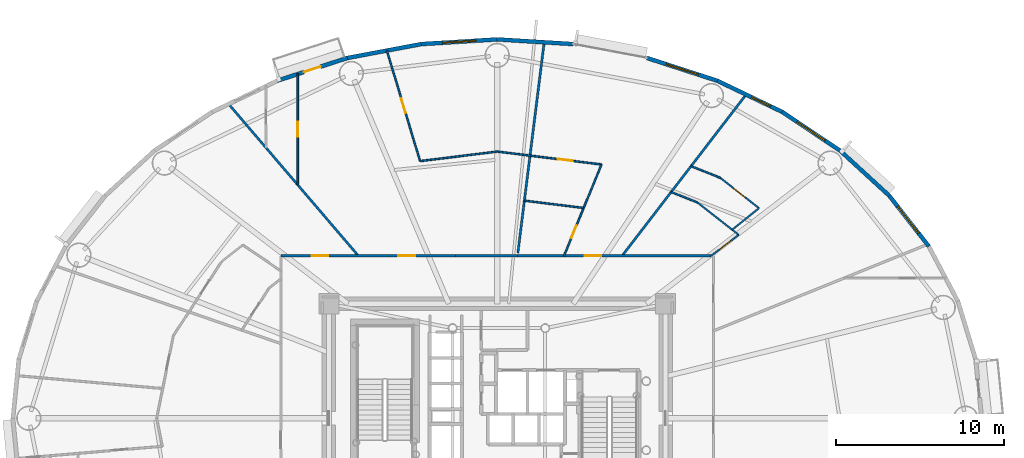
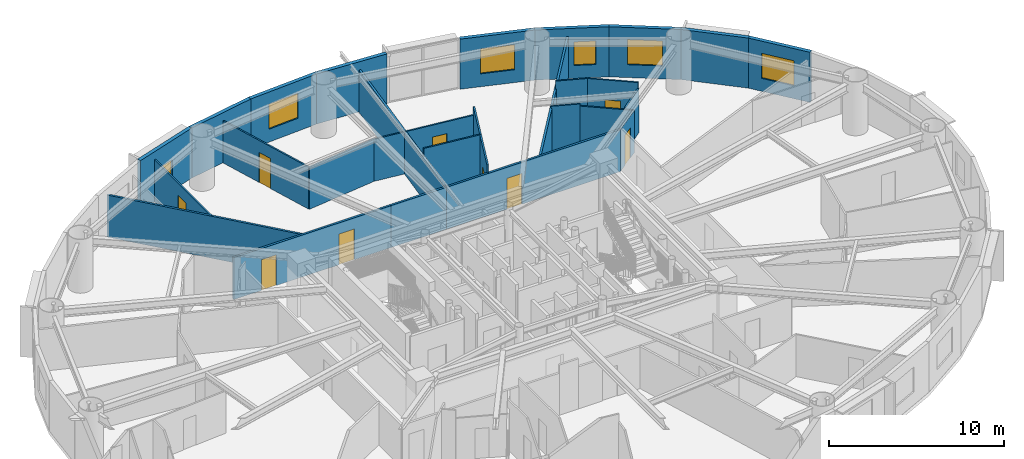
# One storey, part 11 of 18: 27 walls, 10 doors, 5 windows, 15 openings.
"""IFC4 building model written with IfcOpenShell, lengths in metres."""

from ifc_helpers import new_model, si_unit, direction, frame, frame_2d, origin, origin_2d, place, context, subcontext, project, spatial, rectangle, extrude, source, transform, mapped, material, layer, layer_set, type_object, element, fill, save


model = new_model("IFC4")

# Units and contexts
model_context = context("Model", 3, precision=1e-05, world=origin(), true_north=direction((0.0, 1.0)))
body_context = subcontext(model_context, "Body", "Model", "MODEL_VIEW")
ifc_project = project(units=[si_unit("LENGTHUNIT", "METRE"), si_unit("AREAUNIT", "SQUARE_METRE"), si_unit("VOLUMEUNIT", "CUBIC_METRE"), si_unit("PLANEANGLEUNIT", "RADIAN"), si_unit("MASSUNIT", "GRAM", prefix="KILO")], contexts=[model_context])

# Site, building, storey
site_placement = place(None, origin())
site = spatial("IfcSite", under=ifc_project, at=site_placement, CompositionType="ELEMENT")
building_placement = place(site_placement, origin())
building = spatial("IfcBuilding", under=site, at=building_placement, Name="Linh Dai School and Residence Tower", CompositionType="ELEMENT")
storey_placement = place(building_placement, frame((0.0, 0.0, 104.699951171875)))
storey = spatial("IfcBuildingStorey", under=building, at=storey_placement, Name="L24", CompositionType="ELEMENT", Elevation=104.699951171875)

# Wall, opening, window
ifc_material_1 = material(Name="Precast Concrete B45 (C35/45)", Category="concrete")
ifc_layer_1 = layer(ifc_material_1, 0.239990234375)
ifc_layer_set_1 = layer_set([ifc_layer_1], Name="Precast Concrete B45 (C35/45)")
wall_type_1 = type_object("IfcWallType", Name="EW-TC-240", PredefinedType="SOLIDWALL", material=ifc_layer_set_1)
wall_1_placement = place(storey_placement, frame((59.2890625, 40.216552734375, 0.0), z_axis=(0.0, 0.0, 1.0), x_axis=(0.616272103517, -0.787533297345, 0.0)))
wall_1 = element("IfcWall", 1, at=wall_1_placement, inside=storey, type_object=wall_type_1, Name="L24 Terracotta Exterior Wall 04", PredefinedType="SOLIDWALL", context=body_context, shape_type="SweptSolid", body=[
    extrude(rectangle(XDim=3.8232421875, YDim=0.239990234375, at=frame_2d((1.91162109375, 0.0))), origin(), (0.0, 0.0, 1.0), 3.5),
])
opening_1_placement = place(wall_1_placement, frame((0.823974609375, 0.0, 0.89990234375)))
opening_1 = element("IfcOpeningElement", 2, at=opening_1_placement, cuts=wall_1, Name="Opening W1", PredefinedType="OPENING", context=body_context, shape_type="SweptSolid", body=[
    extrude(rectangle(XDim=2.0, YDim=1.75, at=origin_2d()), frame((1.0, 0.1298828125, 0.875), z_axis=(0.0, -1.0, 0.0), x_axis=(1.0, 0.0, 0.0)), (0.0, 0.0, 1.0), 0.260009765625),
])
ifc_material_2 = material(Name="Double Low-E Insulated Glazing", Category="glass")
window_type_1 = type_object("IfcWindowType", Name="WN-RES-2000x1750", PartitioningType="DOUBLE_PANEL_VERTICAL", PredefinedType="WINDOW", material=ifc_material_2)
shared_shape_1 = source(origin(), body_context, "Body", "SweptSolid", [
    extrude(rectangle(XDim=2.0, YDim=1.75, at=origin_2d()), frame((1.0, 0.030029296875, 0.875), z_axis=(0.0, -1.0, 0.0), x_axis=(1.0, 0.0, 0.0)), (0.0, 0.0, 1.0), 0.06005859375),
])
window_1_placement = place(opening_1_placement, origin())
window_1 = element("IfcWindow", 3, at=window_1_placement, inside=storey, type_object=window_type_1, Name="L24 Exterior Window 04.1", OverallHeight=1.75, OverallWidth=2.0, PartitioningType="DOUBLE_PANEL_VERTICAL", PredefinedType="WINDOW", context=body_context, shape_type="MappedRepresentation", body=[
    mapped(shared_shape_1, transform((0.0, 0.0, 0.0), x_axis=(1.0, 0.0, 0.0), y_axis=(0.0, 1.0, 0.0), z_axis=(0.0, 0.0, 1.0), scale=1.0)),
])
fill(opening_1, window_1)

# Wall
wall_2_placement = place(storey_placement, frame((56.3583984375, 42.9033203125, 0.0), z_axis=(0.0, 0.0, 1.0), x_axis=(0.737113356241, -0.675769117414, 0.0)))
element("IfcWall", 4, at=wall_2_placement, inside=storey, type_object=wall_type_1, Name="L24 Terracotta Exterior Wall 05", PredefinedType="SOLIDWALL", context=body_context, shape_type="SweptSolid", body=[
    extrude(rectangle(XDim=3.975830078125, YDim=0.239990234375, at=frame_2d((1.98779296875, 0.0))), origin(), (0.0, 0.0, 1.0), 3.5),
])

# Wall, opening, window
wall_3_placement = place(storey_placement, frame((52.92529296875, 45.199462890625, 0.0), z_axis=(0.0, 0.0, 1.0), x_axis=(0.831221811447, -0.555940914284, 0.0)))
wall_3 = element("IfcWall", 5, at=wall_3_placement, inside=storey, type_object=wall_type_1, Name="L24 Terracotta Exterior Wall 06", PredefinedType="SOLIDWALL", context=body_context, shape_type="SweptSolid", body=[
    extrude(rectangle(XDim=4.130126953125, YDim=0.239990234375, at=frame_2d((2.06494140625, 0.0))), origin(), (0.0, 0.0, 1.0), 3.5),
])
opening_2_placement = place(wall_3_placement, frame((1.06494140625, 0.0, 0.89990234375)))
opening_2 = element("IfcOpeningElement", 6, at=opening_2_placement, cuts=wall_3, Name="Opening W1", PredefinedType="OPENING", context=body_context, shape_type="SweptSolid", body=[
    extrude(rectangle(XDim=2.0, YDim=1.75, at=origin_2d()), frame((1.0, 0.1298828125, 0.875), z_axis=(0.0, -1.0, 0.0), x_axis=(1.0, 0.0, 0.0)), (0.0, 0.0, 1.0), 0.260009765625),
])
window_2_placement = place(opening_2_placement, origin())
window_2 = element("IfcWindow", 7, at=window_2_placement, inside=storey, type_object=window_type_1, Name="L24 Exterior Window 06.1", OverallHeight=1.75, OverallWidth=2.0, PartitioningType="DOUBLE_PANEL_VERTICAL", PredefinedType="WINDOW", context=body_context, shape_type="MappedRepresentation", body=[
    mapped(shared_shape_1, transform((0.0, 0.0, 0.0), x_axis=(1.0, 0.0, 0.0), y_axis=(0.0, 1.0, 0.0), z_axis=(0.0, 0.0, 1.0), scale=1.0)),
])
fill(opening_2, window_2)

wall_4_placement = place(storey_placement, frame((49.073974609375, 47.04736328125, 0.0), z_axis=(0.0, 0.0, 1.0), x_axis=(0.901589935876, -0.432591709962, 0.0)))
wall_4 = element("IfcWall", 8, at=wall_4_placement, inside=storey, type_object=wall_type_1, Name="L24 Terracotta Exterior Wall 07", PredefinedType="SOLIDWALL", context=body_context, shape_type="SweptSolid", body=[
    extrude(rectangle(XDim=4.271728515625, YDim=0.239990234375, at=frame_2d((2.1357421875, 0.0))), origin(), (0.0, 0.0, 1.0), 3.5),
])
opening_3_placement = place(wall_4_placement, frame((2.251953125, 0.0, 0.89990234375)))
opening_3 = element("IfcOpeningElement", 9, at=opening_3_placement, cuts=wall_4, Name="Opening W3", PredefinedType="OPENING", context=body_context, shape_type="SweptSolid", body=[
    extrude(rectangle(XDim=1.25, YDim=1.64990234375, at=origin_2d()), frame((0.625, 0.1298828125, 0.824951171875), z_axis=(0.0, -1.0, 0.0), x_axis=(1.0, 0.0, 0.0)), (0.0, 0.0, 1.0), 0.260009765625),
])
window_type_2 = type_object("IfcWindowType", Name="WN-RES-1250x1650", PartitioningType="SINGLE_PANEL", PredefinedType="WINDOW", material=ifc_material_2)
shared_shape_2 = source(origin(), body_context, "Body", "SweptSolid", [
    extrude(rectangle(XDim=1.25, YDim=1.64990234375, at=origin_2d()), frame((0.625, 0.030029296875, 0.824951171875), z_axis=(0.0, -1.0, 0.0), x_axis=(1.0, 0.0, 0.0)), (0.0, 0.0, 1.0), 0.06005859375),
])
window_3_placement = place(opening_3_placement, origin())
window_3 = element("IfcWindow", 10, at=window_3_placement, inside=storey, type_object=window_type_2, Name="L24 Exterior Window 07.1", OverallHeight=1.64990234375, OverallWidth=1.25, PartitioningType="SINGLE_PANEL", PredefinedType="WINDOW", context=body_context, shape_type="MappedRepresentation", body=[
    mapped(shared_shape_2, transform((0.0, 0.0, 0.0), x_axis=(1.0, 0.0, 0.0), y_axis=(0.0, 1.0, 0.0), z_axis=(0.0, 0.0, 1.0), scale=1.0)),
])
fill(opening_3, window_3)

wall_5_placement = place(storey_placement, frame((44.899658203125, 48.4013671875, 0.0), z_axis=(0.0, 0.0, 1.0), x_axis=(0.951211346073, -0.308540070495, 0.0)))
wall_5 = element("IfcWall", 11, at=wall_5_placement, inside=storey, type_object=wall_type_1, Name="L24 Terracotta Exterior Wall 08", PredefinedType="SOLIDWALL", context=body_context, shape_type="SweptSolid", body=[
    extrude(rectangle(XDim=4.388427734375, YDim=0.239990234375, at=frame_2d((2.1943359375, 0.0))), origin(), (0.0, 0.0, 1.0), 3.5),
])
opening_4_placement = place(wall_5_placement, frame((1.194091796875, 0.0, 0.89990234375)))
opening_4 = element("IfcOpeningElement", 12, at=opening_4_placement, cuts=wall_5, Name="Opening W1", PredefinedType="OPENING", context=body_context, shape_type="SweptSolid", body=[
    extrude(rectangle(XDim=2.0, YDim=1.75, at=origin_2d()), frame((1.0, 0.1298828125, 0.875), z_axis=(0.0, -1.0, 0.0), x_axis=(1.0, 0.0, 0.0)), (0.0, 0.0, 1.0), 0.260009765625),
])
window_4_placement = place(opening_4_placement, origin())
window_4 = element("IfcWindow", 13, at=window_4_placement, inside=storey, type_object=window_type_1, Name="L24 Exterior Window 08.1", OverallHeight=1.75, OverallWidth=2.0, PartitioningType="DOUBLE_PANEL_VERTICAL", PredefinedType="WINDOW", context=body_context, shape_type="MappedRepresentation", body=[
    mapped(shared_shape_1, transform((0.0, 0.0, 0.0), x_axis=(1.0, 0.0, 0.0), y_axis=(0.0, 1.0, 0.0), z_axis=(0.0, 0.0, 1.0), scale=1.0)),
])
fill(opening_4, window_4)

# Wall
wall_6_placement = place(storey_placement, frame((36.0, 49.5048828125, 0.0), z_axis=(0.0, 0.0, 1.0), x_axis=(0.998107531589, -0.061492726276, 0.0)))
element("IfcWall", 14, at=wall_6_placement, inside=storey, type_object=wall_type_1, Name="L24 Terracotta Exterior Wall 10", PredefinedType="SOLIDWALL", context=body_context, shape_type="SweptSolid", body=[
    extrude(rectangle(XDim=4.51416015625, YDim=0.239990234375, at=frame_2d((2.257080078125, 0.0))), origin(), (0.0, 0.0, 1.0), 3.5),
])

# Wall, opening, window
wall_7_placement = place(storey_placement, frame((31.494384765625, 49.227294921875, 0.0), z_axis=(0.0, 0.0, 1.0), x_axis=(0.998107531589, 0.061492726276, 0.0)))
wall_7 = element("IfcWall", 15, at=wall_7_placement, inside=storey, type_object=wall_type_1, Name="L24 Terracotta Exterior Wall 11", PredefinedType="SOLIDWALL", context=body_context, shape_type="SweptSolid", body=[
    extrude(rectangle(XDim=4.51416015625, YDim=0.239990234375, at=frame_2d((2.257080078125, 0.0))), origin(), (0.0, 0.0, 1.0), 3.5),
])
opening_5_placement = place(wall_7_placement, frame((1.257080078125, 0.0, 0.89990234375)))
opening_5 = element("IfcOpeningElement", 16, at=opening_5_placement, cuts=wall_7, Name="Opening W1", PredefinedType="OPENING", context=body_context, shape_type="SweptSolid", body=[
    extrude(rectangle(XDim=2.0, YDim=1.75, at=origin_2d()), frame((1.0, 0.1298828125, 0.875), z_axis=(0.0, -1.0, 0.0), x_axis=(1.0, 0.0, 0.0)), (0.0, 0.0, 1.0), 0.260009765625),
])
window_5_placement = place(opening_5_placement, origin())
window_5 = element("IfcWindow", 17, at=window_5_placement, inside=storey, type_object=window_type_1, Name="L24 Exterior Window 11.1", OverallHeight=1.75, OverallWidth=2.0, PartitioningType="DOUBLE_PANEL_VERTICAL", PredefinedType="WINDOW", context=body_context, shape_type="MappedRepresentation", body=[
    mapped(shared_shape_1, transform((0.0, 0.0, 0.0), x_axis=(1.0, 0.0, 0.0), y_axis=(0.0, 1.0, 0.0), z_axis=(0.0, 0.0, 1.0), scale=1.0)),
])
fill(opening_5, window_5)

# Wall
wall_8_placement = place(storey_placement, frame((27.100341796875, 48.4013671875, 0.0), z_axis=(0.0, 0.0, 1.0), x_axis=(0.982789252177, 0.184730305596, 0.0)))
element("IfcWall", 18, at=wall_8_placement, inside=storey, type_object=wall_type_1, Name="L24 Terracotta Exterior Wall 12", PredefinedType="SOLIDWALL", context=body_context, shape_type="SweptSolid", body=[
    extrude(rectangle(XDim=4.470947265625, YDim=0.239990234375, at=frame_2d((2.2353515625, 0.0))), origin(), (0.0, 0.0, 1.0), 3.5),
])

# Wall, opening, door
wall_9_placement = place(storey_placement, frame((22.926025390625, 47.04736328125, 0.0), z_axis=(0.0, 0.0, 1.0), x_axis=(0.951211346073, 0.308540070495, 0.0)))
wall_9 = element("IfcWall", 19, at=wall_9_placement, inside=storey, type_object=wall_type_1, Name="L24 Terracotta Exterior Wall 13", PredefinedType="SOLIDWALL", context=body_context, shape_type="SweptSolid", body=[
    extrude(rectangle(XDim=4.388427734375, YDim=0.239990234375, at=frame_2d((2.1943359375, 0.0))), origin(), (0.0, 0.0, 1.0), 3.5),
])
opening_6_placement = place(wall_9_placement, frame((1.669189453125, 0.0, 0.0)))
opening_6 = element("IfcOpeningElement", 20, at=opening_6_placement, cuts=wall_9, Name="Opening BD1", PredefinedType="OPENING", context=body_context, shape_type="SweptSolid", body=[
    extrude(rectangle(XDim=1.050048828125, YDim=2.14990234375, at=origin_2d()), frame((0.52490234375, 0.1298828125, 1.074951171875), z_axis=(0.0, -1.0, 0.0), x_axis=(1.0, 0.0, 0.0)), (0.0, 0.0, 1.0), 0.260009765625),
])
ifc_material_3 = material(Name="Double-Glazed Balcony Door", Category="glass")
door_type_1 = type_object("IfcDoorType", Name="DR-BALC-1050x2150", OperationType="NOTDEFINED", PredefinedType="DOOR", material=ifc_material_3)
shared_shape_3 = source(origin(), body_context, "Body", "SweptSolid", [
    extrude(rectangle(XDim=1.050048828125, YDim=2.14990234375, at=origin_2d()), frame((0.52490234375, 0.02490234375, 1.074951171875), z_axis=(0.0, -1.0, 0.0), x_axis=(1.0, 0.0, 0.0)), (0.0, 0.0, 1.0), 0.050048828125),
])
door_1_placement = place(opening_6_placement, origin())
door_1 = element("IfcDoor", 21, at=door_1_placement, inside=storey, type_object=door_type_1, Name="L24 Glazed Balcony Door 13", OperationType="SINGLE_SWING_LEFT", OverallHeight=2.14990234375, OverallWidth=1.050048828125, PredefinedType="DOOR", context=body_context, shape_type="MappedRepresentation", body=[
    mapped(shared_shape_3, transform((0.0, 0.0, 0.0), x_axis=(1.0, 0.0, 0.0), y_axis=(0.0, 1.0, 0.0), z_axis=(0.0, 0.0, 1.0), scale=1.0)),
])
fill(opening_6, door_1)

# Wall
ifc_material_4 = material(Name="Autoclaved Aerated Concrete Blockwork", Category="masonry")
ifc_layer_2 = layer(ifc_material_4, 0.135009765625)
ifc_layer_set_2 = layer_set([ifc_layer_2], Name="Autoclaved Aerated Concrete Blockwork")
wall_type_2 = type_object("IfcWallType", Name="IW-CORR-135-EI90", PredefinedType="PARTITIONING", material=ifc_layer_set_2)
wall_10_placement = place(storey_placement, frame((20.03955078125, 45.66796875, 0.0), z_axis=(0.0, 0.0, 1.0), x_axis=(0.649828321201, -0.760081017369, 0.0)))
element("IfcWall", 22, at=wall_10_placement, inside=storey, type_object=wall_type_2, Name="L24 Interior Partition Wall 011", PredefinedType="PARTITIONING", context=body_context, shape_type="SweptSolid", body=[
    extrude(rectangle(XDim=11.864501953125, YDim=0.135009765625, at=frame_2d((5.93212890625, 0.0))), origin(), (0.0, 0.0, 1.0), 2.93505859375),
])

# Wall, openings, doors
wall_11_placement = place(storey_placement, frame((23.14990234375, 36.64990234375, 0.0), z_axis=(0.0, 0.0, 1.0), x_axis=(1.0, 0.0, 0.0)))
wall_11 = element("IfcWall", 23, at=wall_11_placement, inside=storey, type_object=wall_type_2, Name="L24 Interior Partition Wall 018", PredefinedType="PARTITIONING", context=body_context, shape_type="SweptSolid", body=[
    extrude(rectangle(XDim=10.373046875, YDim=0.135009765625, at=frame_2d((5.1865234375, 0.0))), origin(), (0.0, 0.0, 1.0), 2.93505859375),
])
opening_7_placement = place(wall_11_placement, frame((6.96630859375, 0.0, 0.0)))
opening_7 = element("IfcOpeningElement", 24, at=opening_7_placement, cuts=wall_11, Name="Opening D03", PredefinedType="OPENING", context=body_context, shape_type="SweptSolid", body=[
    extrude(rectangle(XDim=1.0, YDim=2.14990234375, at=origin_2d()), frame((0.5, 0.07763671875, 1.074951171875), z_axis=(0.0, -1.0, 0.0), x_axis=(1.0, 0.0, 0.0)), (0.0, 0.0, 1.0), 0.155029296875),
])
opening_8_placement = place(wall_11_placement, frame((1.81982421875, 0.0, 0.0)))
opening_8 = element("IfcOpeningElement", 25, at=opening_8_placement, cuts=wall_11, Name="Opening D03", PredefinedType="OPENING", context=body_context, shape_type="SweptSolid", body=[
    extrude(rectangle(XDim=1.0, YDim=2.14990234375, at=origin_2d()), frame((0.5, 0.07763671875, 1.074951171875), z_axis=(0.0, -1.0, 0.0), x_axis=(1.0, 0.0, 0.0)), (0.0, 0.0, 1.0), 0.155029296875),
])
ifc_material_5 = material(Name="Fire-Rated Solid Timber Entrance Door", Category="wood")
door_type_2 = type_object("IfcDoorType", Name="DR-FLAT-1000x2150-FD60S", OperationType="NOTDEFINED", PredefinedType="DOOR", material=ifc_material_5)
shared_shape_4 = source(origin(), body_context, "Body", "SweptSolid", [
    extrude(rectangle(XDim=1.0, YDim=2.14990234375, at=origin_2d()), frame((0.5, 0.02490234375, 1.074951171875), z_axis=(0.0, -1.0, 0.0), x_axis=(1.0, 0.0, 0.0)), (0.0, 0.0, 1.0), 0.050048828125),
])
door_2_placement = place(opening_7_placement, origin())
door_2 = element("IfcDoor", 26, at=door_2_placement, inside=storey, type_object=door_type_2, Name="L24 U2403 Apartment Entrance Door", OperationType="SINGLE_SWING_LEFT", OverallHeight=2.14990234375, OverallWidth=1.0, PredefinedType="DOOR", context=body_context, shape_type="MappedRepresentation", body=[
    mapped(shared_shape_4, transform((0.0, 0.0, 0.0), x_axis=(1.0, 0.0, 0.0), y_axis=(0.0, 1.0, 0.0), z_axis=(0.0, 0.0, 1.0), scale=1.0)),
])
fill(opening_7, door_2)
door_3_placement = place(opening_8_placement, origin())
door_3 = element("IfcDoor", 27, at=door_3_placement, inside=storey, type_object=door_type_2, Name="L24 U2404 Apartment Entrance Door", OperationType="SINGLE_SWING_LEFT", OverallHeight=2.14990234375, OverallWidth=1.0, PredefinedType="DOOR", context=body_context, shape_type="MappedRepresentation", body=[
    mapped(shared_shape_4, transform((0.0, 0.0, 0.0), x_axis=(1.0, 0.0, 0.0), y_axis=(0.0, 1.0, 0.0), z_axis=(0.0, 0.0, 1.0), scale=1.0)),
])
fill(opening_8, door_3)

# Wall, opening, door
wall_12_placement = place(storey_placement, frame((37.205078125, 36.64990234375, 0.0), z_axis=(0.0, 0.0, 1.0), x_axis=(1.0, 0.0, 0.0)))
wall_12 = element("IfcWall", 28, at=wall_12_placement, inside=storey, type_object=wall_type_2, Name="L24 Interior Partition Wall 058", PredefinedType="PARTITIONING", context=body_context, shape_type="SweptSolid", body=[
    extrude(rectangle(XDim=11.498779296875, YDim=0.135009765625, at=frame_2d((5.74951171875, 0.0))), origin(), (0.0, 0.0, 1.0), 2.93505859375),
])
opening_9_placement = place(wall_12_placement, frame((3.98779296875, 0.0, 0.0)))
opening_9 = element("IfcOpeningElement", 29, at=opening_9_placement, cuts=wall_12, Name="Opening D03", PredefinedType="OPENING", context=body_context, shape_type="SweptSolid", body=[
    extrude(rectangle(XDim=1.0, YDim=2.14990234375, at=origin_2d()), frame((0.5, 0.07763671875, 1.074951171875), z_axis=(0.0, -1.0, 0.0), x_axis=(1.0, 0.0, 0.0)), (0.0, 0.0, 1.0), 0.155029296875),
])
door_4_placement = place(opening_9_placement, origin())
door_4 = element("IfcDoor", 30, at=door_4_placement, inside=storey, type_object=door_type_2, Name="L24 U2402 Apartment Entrance Door", OperationType="SINGLE_SWING_RIGHT", OverallHeight=2.14990234375, OverallWidth=1.0, PredefinedType="DOOR", context=body_context, shape_type="MappedRepresentation", body=[
    mapped(shared_shape_4, transform((0.0, 0.0, 0.0), x_axis=(1.0, 0.0, 0.0), y_axis=(0.0, 1.0, 0.0), z_axis=(0.0, 0.0, 1.0), scale=1.0)),
])
fill(opening_9, door_4)

# Walls
wall_13_placement = place(storey_placement, frame((37.224365234375, 36.805419921875, 0.0), z_axis=(0.0, 0.0, 1.0), x_axis=(0.123906262398, 0.992293927291, 0.0)))
element("IfcWall", 31, at=wall_13_placement, inside=storey, type_object=wall_type_2, Name="L24 Interior Partition Wall 059", PredefinedType="PARTITIONING", context=body_context, shape_type="SweptSolid", body=[
    extrude(rectangle(XDim=12.630126953125, YDim=0.135009765625, at=frame_2d((6.31494140625, 0.0))), origin(), (0.0, 0.0, 1.0), 2.93505859375),
])
wall_14_placement = place(storey_placement, frame((43.42041015625, 36.64990234375, 0.0), z_axis=(0.0, 0.0, 1.0), x_axis=(0.609572126114, 0.792730611913, 0.0)))
element("IfcWall", 32, at=wall_14_placement, inside=storey, type_object=wall_type_2, Name="L24 Interior Partition Wall 078", PredefinedType="PARTITIONING", context=body_context, shape_type="SweptSolid", body=[
    extrude(rectangle(XDim=12.0859375, YDim=0.135009765625, at=frame_2d((6.04296875, 0.0))), origin(), (0.0, 0.0, 1.0), 2.93505859375),
])
wall_15_placement = place(storey_placement, frame((33.532958984375, 36.64990234375, 0.0), z_axis=(0.0, 0.0, 1.0), x_axis=(1.0, 0.0, 0.0)))
element("IfcWall", 33, at=wall_15_placement, inside=storey, type_object=wall_type_2, Name="L24 Interior Partition Wall 108", PredefinedType="PARTITIONING", context=body_context, shape_type="SweptSolid", body=[
    extrude(rectangle(XDim=3.662109375, YDim=0.135009765625, at=frame_2d((1.8310546875, 0.0))), origin(), (0.0, 0.0, 1.0), 2.93505859375),
])

# Wall, opening, door
ifc_material_6 = material(Name="Gypsum Plasterboard Acoustic Stud Partition", Category="masonry")
ifc_layer_3 = layer(ifc_material_6, 0.10009765625)
ifc_layer_set_3 = layer_set([ifc_layer_3], Name="Gypsum Plasterboard Acoustic Stud Partition")
wall_type_3 = type_object("IfcWallType", Name="IW-UNIT-100", PredefinedType="PARTITIONING", material=ifc_layer_set_3)
wall_16_placement = place(storey_placement, frame((24.147216796875, 40.863525390625, 0.0), z_axis=(0.0, 0.0, 1.0), x_axis=(0.0, 1.0, 0.0)))
wall_16 = element("IfcWall", 34, at=wall_16_placement, inside=storey, type_object=wall_type_3, Name="L24 Interior Partition Wall 023", PredefinedType="PARTITIONING", context=body_context, shape_type="SweptSolid", body=[
    extrude(rectangle(XDim=6.585205078125, YDim=0.10009765625, at=frame_2d((3.29248046875, 0.0))), origin(), (0.0, 0.0, 1.0), 2.93505859375),
])
opening_10_placement = place(wall_16_placement, frame((2.8427734375, 0.0, 0.0)))
opening_10 = element("IfcOpeningElement", 35, at=opening_10_placement, cuts=wall_16, Name="Opening D05", PredefinedType="OPENING", context=body_context, shape_type="SweptSolid", body=[
    extrude(rectangle(XDim=0.89990234375, YDim=2.10009765625, at=origin_2d()), frame((0.449951171875, 0.06005859375, 1.050048828125), z_axis=(0.0, -1.0, 0.0), x_axis=(1.0, 0.0, 0.0)), (0.0, 0.0, 1.0), 0.1201171875),
])
ifc_material_7 = material(Name="Engineered Timber Internal Door", Category="wood")
door_type_3 = type_object("IfcDoorType", Name="DR-INT-900x2100", OperationType="NOTDEFINED", PredefinedType="DOOR", material=ifc_material_7)
shared_shape_5 = source(origin(), body_context, "Body", "SweptSolid", [
    extrude(rectangle(XDim=0.89990234375, YDim=2.10009765625, at=origin_2d()), frame((0.449951171875, 0.02490234375, 1.050048828125), z_axis=(0.0, -1.0, 0.0), x_axis=(1.0, 0.0, 0.0)), (0.0, 0.0, 1.0), 0.050048828125),
])
door_5_placement = place(opening_10_placement, origin())
door_5 = element("IfcDoor", 36, at=door_5_placement, inside=storey, type_object=door_type_3, Name="L24 Apartment U2403 Kitchen Door", OperationType="SINGLE_SWING_LEFT", OverallHeight=2.10009765625, OverallWidth=0.89990234375, PredefinedType="DOOR", context=body_context, shape_type="MappedRepresentation", body=[
    mapped(shared_shape_5, transform((0.0, 0.0, 0.0), x_axis=(1.0, 0.0, 0.0), y_axis=(0.0, 1.0, 0.0), z_axis=(0.0, 0.0, 1.0), scale=1.0)),
])
fill(opening_10, door_5)

wall_17_placement = place(storey_placement, frame((29.443115234375, 48.8466796875, 0.0), z_axis=(0.0, 0.0, 1.0), x_axis=(0.287465357653, -0.957791035743, 0.0)))
wall_17 = element("IfcWall", 37, at=wall_17_placement, inside=storey, type_object=wall_type_3, Name="L24 Interior Partition Wall 028", PredefinedType="PARTITIONING", context=body_context, shape_type="SweptSolid", body=[
    extrude(rectangle(XDim=6.864013671875, YDim=0.10009765625, at=frame_2d((3.43212890625, 0.0))), origin(), (0.0, 0.0, 1.0), 2.93505859375),
])
opening_11_placement = place(wall_17_placement, frame((2.98193359375, 0.0, 0.0)))
opening_11 = element("IfcOpeningElement", 38, at=opening_11_placement, cuts=wall_17, Name="Opening D05", PredefinedType="OPENING", context=body_context, shape_type="SweptSolid", body=[
    extrude(rectangle(XDim=0.89990234375, YDim=2.10009765625, at=origin_2d()), frame((0.449951171875, 0.06005859375, 1.050048828125), z_axis=(0.0, -1.0, 0.0), x_axis=(1.0, 0.0, 0.0)), (0.0, 0.0, 1.0), 0.1201171875),
])
door_6_placement = place(opening_11_placement, origin())
door_6 = element("IfcDoor", 39, at=door_6_placement, inside=storey, type_object=door_type_3, Name="L24 Apartment U2403 Principal Bedroom 1 Door", OperationType="SINGLE_SWING_RIGHT", OverallHeight=2.10009765625, OverallWidth=0.89990234375, PredefinedType="DOOR", context=body_context, shape_type="MappedRepresentation", body=[
    mapped(shared_shape_5, transform((0.0, 0.0, 0.0), x_axis=(1.0, 0.0, 0.0), y_axis=(0.0, 1.0, 0.0), z_axis=(0.0, 0.0, 1.0), scale=1.0)),
])
fill(opening_11, door_6)

# Wall
wall_18_placement = place(storey_placement, frame((31.416259765625, 42.2724609375, 0.0), z_axis=(0.0, 0.0, 1.0), x_axis=(0.992393726446, 0.12310439355, 0.0)))
element("IfcWall", 40, at=wall_18_placement, inside=storey, type_object=wall_type_3, Name="L24 Interior Partition Wall 032", PredefinedType="PARTITIONING", context=body_context, shape_type="SweptSolid", body=[
    extrude(rectangle(XDim=4.618896484375, YDim=0.10009765625, at=frame_2d((2.3095703125, 0.0))), origin(), (0.0, 0.0, 1.0), 2.93505859375),
])

# Wall, opening, door
wall_19_placement = place(storey_placement, frame((36.0, 42.841064453125, 0.0), z_axis=(0.0, 0.0, 1.0), x_axis=(0.992393593066, -0.123105468776, 0.0)))
wall_19 = element("IfcWall", 41, at=wall_19_placement, inside=storey, type_object=wall_type_3, Name="L24 Interior Partition Wall 055", PredefinedType="PARTITIONING", context=body_context, shape_type="SweptSolid", body=[
    extrude(rectangle(XDim=6.240966796875, YDim=0.10009765625, at=frame_2d((3.12060546875, 0.0))), origin(), (0.0, 0.0, 1.0), 2.93505859375),
])
opening_12_placement = place(wall_19_placement, frame((3.6318359375, 0.0, 0.0)))
opening_12 = element("IfcOpeningElement", 42, at=opening_12_placement, cuts=wall_19, Name="Opening D05", PredefinedType="OPENING", context=body_context, shape_type="SweptSolid", body=[
    extrude(rectangle(XDim=0.89990234375, YDim=2.10009765625, at=origin_2d()), frame((0.449951171875, 0.06005859375, 1.050048828125), z_axis=(0.0, -1.0, 0.0), x_axis=(1.0, 0.0, 0.0)), (0.0, 0.0, 1.0), 0.1201171875),
])
door_7_placement = place(opening_12_placement, origin())
door_7 = element("IfcDoor", 43, at=door_7_placement, inside=storey, type_object=door_type_3, Name="L24 Apartment U2402 Kitchen Door", OperationType="SINGLE_SWING_RIGHT", OverallHeight=2.10009765625, OverallWidth=0.89990234375, PredefinedType="DOOR", context=body_context, shape_type="MappedRepresentation", body=[
    mapped(shared_shape_5, transform((0.0, 0.0, 0.0), x_axis=(1.0, 0.0, 0.0), y_axis=(0.0, 1.0, 0.0), z_axis=(0.0, 0.0, 1.0), scale=1.0)),
])
fill(opening_12, door_7)

# Wall
wall_20_placement = place(storey_placement, frame((37.614013671875, 39.92529296875, 0.0), z_axis=(0.0, 0.0, 1.0), x_axis=(0.992397148182, -0.123076806427, 0.0)))
element("IfcWall", 44, at=wall_20_placement, inside=storey, type_object=wall_type_3, Name="L24 Interior Partition Wall 060", PredefinedType="PARTITIONING", context=body_context, shape_type="SweptSolid", body=[
    extrude(rectangle(XDim=3.544677734375, YDim=0.10009765625, at=frame_2d((1.7724609375, 0.0))), origin(), (0.0, 0.0, 1.0), 3.5),
])

# Wall, opening, door
wall_21_placement = place(storey_placement, frame((39.96533203125, 36.64990234375, 0.0), z_axis=(0.0, 0.0, 1.0), x_axis=(0.380069011115, 0.924958132452, 0.0)))
wall_21 = element("IfcWall", 45, at=wall_21_placement, inside=storey, type_object=wall_type_3, Name="L24 Interior Partition Wall 069", PredefinedType="PARTITIONING", context=body_context, shape_type="SweptSolid", body=[
    extrude(rectangle(XDim=5.86279296875, YDim=0.10009765625, at=frame_2d((2.931396484375, 0.0))), origin(), (0.0, 0.0, 1.0), 3.5),
])
opening_13_placement = place(wall_21_placement, frame((1.14453125, 0.0, 0.0)))
opening_13 = element("IfcOpeningElement", 46, at=opening_13_placement, cuts=wall_21, Name="Opening D06", PredefinedType="OPENING", context=body_context, shape_type="SweptSolid", body=[
    extrude(rectangle(XDim=0.820068359375, YDim=2.10009765625, at=origin_2d()), frame((0.41015625, 0.06005859375, 1.050048828125), z_axis=(0.0, -1.0, 0.0), x_axis=(1.0, 0.0, 0.0)), (0.0, 0.0, 1.0), 0.1201171875),
])
ifc_material_8 = material(Name="Moisture-Resistant Timber Bathroom Door", Category="wood")
door_type_4 = type_object("IfcDoorType", Name="DR-WET-820x2100", OperationType="NOTDEFINED", PredefinedType="DOOR", material=ifc_material_8)
shared_shape_6 = source(origin(), body_context, "Body", "SweptSolid", [
    extrude(rectangle(XDim=0.820068359375, YDim=2.10009765625, at=origin_2d()), frame((0.41015625, 0.02490234375, 1.050048828125), z_axis=(0.0, -1.0, 0.0), x_axis=(1.0, 0.0, 0.0)), (0.0, 0.0, 1.0), 0.050048828125),
])
door_8_placement = place(opening_13_placement, origin())
door_8 = element("IfcDoor", 47, at=door_8_placement, inside=storey, type_object=door_type_4, Name="L24 Apartment U2402 Bathroom Door", OperationType="SINGLE_SWING_LEFT", OverallHeight=2.10009765625, OverallWidth=0.820068359375, PredefinedType="DOOR", context=body_context, shape_type="MappedRepresentation", body=[
    mapped(shared_shape_6, transform((0.0, 0.0, 0.0), x_axis=(1.0, 0.0, 0.0), y_axis=(0.0, 1.0, 0.0), z_axis=(0.0, 0.0, 1.0), scale=1.0)),
])
fill(opening_13, door_8)

# Walls
wall_22_placement = place(storey_placement, frame((46.332763671875, 40.437255859375, 0.0), z_axis=(0.0, 0.0, 1.0), x_axis=(0.928817558248, -0.370537371247, 0.0)))
element("IfcWall", 48, at=wall_22_placement, inside=storey, type_object=wall_type_3, Name="L24 Interior Partition Wall 081", PredefinedType="PARTITIONING", context=body_context, shape_type="SweptSolid", body=[
    extrude(rectangle(XDim=1.677490234375, YDim=0.10009765625, at=frame_2d((0.8388671875, 0.0))), origin(), (0.0, 0.0, 1.0), 3.0849609375),
])
wall_23_placement = place(storey_placement, frame((47.513671875, 41.972900390625, 0.0), z_axis=(0.0, 0.0, 1.0), x_axis=(0.928809612726, -0.370557287485, 0.0)))
element("IfcWall", 49, at=wall_23_placement, inside=storey, type_object=wall_type_3, Name="L24 Interior Partition Wall 083", PredefinedType="PARTITIONING", context=body_context, shape_type="SweptSolid", body=[
    extrude(rectangle(XDim=1.869140625, YDim=0.10009765625, at=frame_2d((0.9345703125, 0.0))), origin(), (0.0, 0.0, 1.0), 3.5),
])
wall_24_placement = place(storey_placement, frame((47.890869140625, 39.815673828125, 0.0), z_axis=(0.0, 0.0, 1.0), x_axis=(0.787339621997, -0.616519520887, 0.0)))
element("IfcWall", 50, at=wall_24_placement, inside=storey, type_object=wall_type_3, Name="L24 Interior Partition Wall 084", PredefinedType="PARTITIONING", context=body_context, shape_type="SweptSolid", body=[
    extrude(rectangle(XDim=3.11572265625, YDim=0.10009765625, at=frame_2d((1.557861328125, 0.0))), origin(), (0.0, 0.0, 1.0), 2.93505859375),
])

# Wall, opening, door
wall_25_placement = place(storey_placement, frame((48.703857421875, 36.64990234375, 0.0), z_axis=(0.0, 0.0, 1.0), x_axis=(0.796299280247, 0.604902848628, 0.0)))
wall_25 = element("IfcWall", 51, at=wall_25_placement, inside=storey, type_object=wall_type_3, Name="L24 Interior Partition Wall 085", PredefinedType="PARTITIONING", context=body_context, shape_type="SweptSolid", body=[
    extrude(rectangle(XDim=2.058837890625, YDim=0.10009765625, at=frame_2d((1.029296875, 0.0))), origin(), (0.0, 0.0, 1.0), 2.93505859375),
])
opening_14_placement = place(wall_25_placement, frame((0.619384765625, 0.0, 0.0)))
opening_14 = element("IfcOpeningElement", 52, at=opening_14_placement, cuts=wall_25, Name="Opening D06", PredefinedType="OPENING", context=body_context, shape_type="SweptSolid", body=[
    extrude(rectangle(XDim=0.820068359375, YDim=2.10009765625, at=origin_2d()), frame((0.41015625, 0.06005859375, 1.050048828125), z_axis=(0.0, -1.0, 0.0), x_axis=(1.0, 0.0, 0.0)), (0.0, 0.0, 1.0), 0.1201171875),
])
door_9_placement = place(opening_14_placement, origin())
door_9 = element("IfcDoor", 53, at=door_9_placement, inside=storey, type_object=door_type_4, Name="L24 Apartment U2401 Bathroom Door", OperationType="SINGLE_SWING_RIGHT", OverallHeight=2.10009765625, OverallWidth=0.820068359375, PredefinedType="DOOR", context=body_context, shape_type="MappedRepresentation", body=[
    mapped(shared_shape_6, transform((0.0, 0.0, 0.0), x_axis=(1.0, 0.0, 0.0), y_axis=(0.0, 1.0, 0.0), z_axis=(0.0, 0.0, 1.0), scale=1.0)),
])
fill(opening_14, door_9)

wall_26_placement = place(storey_placement, frame((49.249755859375, 41.2802734375, 0.0), z_axis=(0.0, 0.0, 1.0), x_axis=(0.787360471536, -0.616492893602, 0.0)))
wall_26 = element("IfcWall", 54, at=wall_26_placement, inside=storey, type_object=wall_type_3, Name="L24 Interior Partition Wall 090", PredefinedType="PARTITIONING", context=body_context, shape_type="SweptSolid", body=[
    extrude(rectangle(XDim=2.92333984375, YDim=0.10009765625, at=frame_2d((1.461669921875, 0.0))), origin(), (0.0, 0.0, 1.0), 3.5),
])
opening_15_placement = place(wall_26_placement, frame((1.01171875, 0.0, 0.0)))
opening_15 = element("IfcOpeningElement", 55, at=opening_15_placement, cuts=wall_26, Name="Opening D05", PredefinedType="OPENING", context=body_context, shape_type="SweptSolid", body=[
    extrude(rectangle(XDim=0.89990234375, YDim=2.10009765625, at=origin_2d()), frame((0.449951171875, 0.06005859375, 1.050048828125), z_axis=(0.0, -1.0, 0.0), x_axis=(1.0, 0.0, 0.0)), (0.0, 0.0, 1.0), 0.1201171875),
])
door_10_placement = place(opening_15_placement, origin())
door_10 = element("IfcDoor", 56, at=door_10_placement, inside=storey, type_object=door_type_3, Name="L24 Apartment U2401 Kitchen Door", OperationType="SINGLE_SWING_LEFT", OverallHeight=2.10009765625, OverallWidth=0.89990234375, PredefinedType="DOOR", context=body_context, shape_type="MappedRepresentation", body=[
    mapped(shared_shape_5, transform((0.0, 0.0, 0.0), x_axis=(1.0, 0.0, 0.0), y_axis=(0.0, 1.0, 0.0), z_axis=(0.0, 0.0, 1.0), scale=1.0)),
])
fill(opening_15, door_10)

# Wall
wall_27_placement = place(storey_placement, frame((49.956298828125, 38.1982421875, 0.0), z_axis=(0.0, 0.0, 1.0), x_axis=(0.78000622602, 0.625771753413, 0.0)))
element("IfcWall", 57, at=wall_27_placement, inside=storey, type_object=wall_type_3, Name="L24 Interior Partition Wall 091", PredefinedType="PARTITIONING", context=body_context, shape_type="SweptSolid", body=[
    extrude(rectangle(XDim=2.045166015625, YDim=0.10009765625, at=frame_2d((1.0224609375, 0.0))), origin(), (0.0, 0.0, 1.0), 3.0849609375),
])

save(model, "model.ifc")
